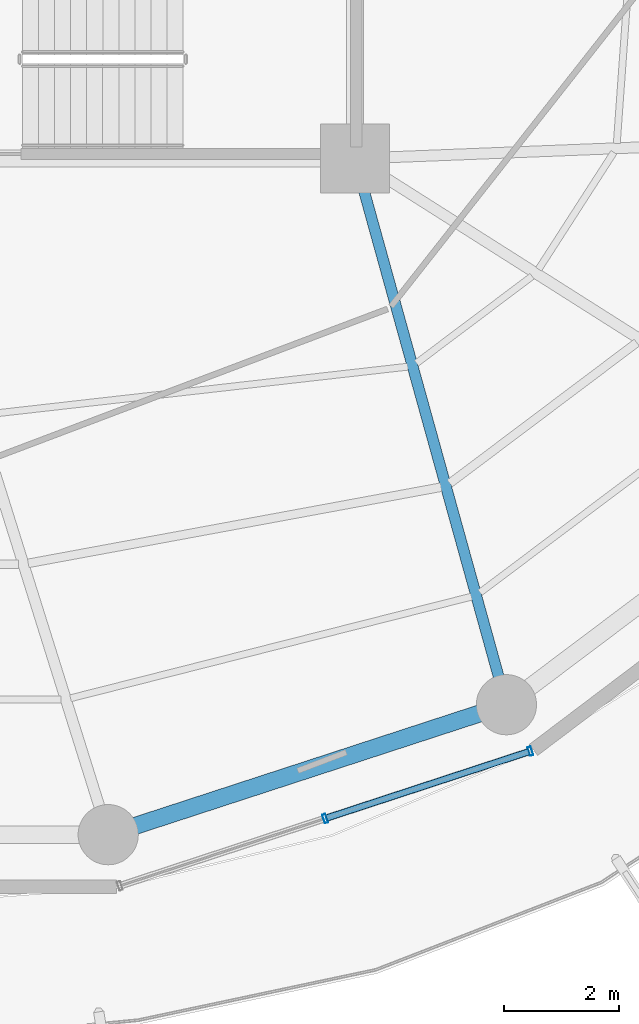
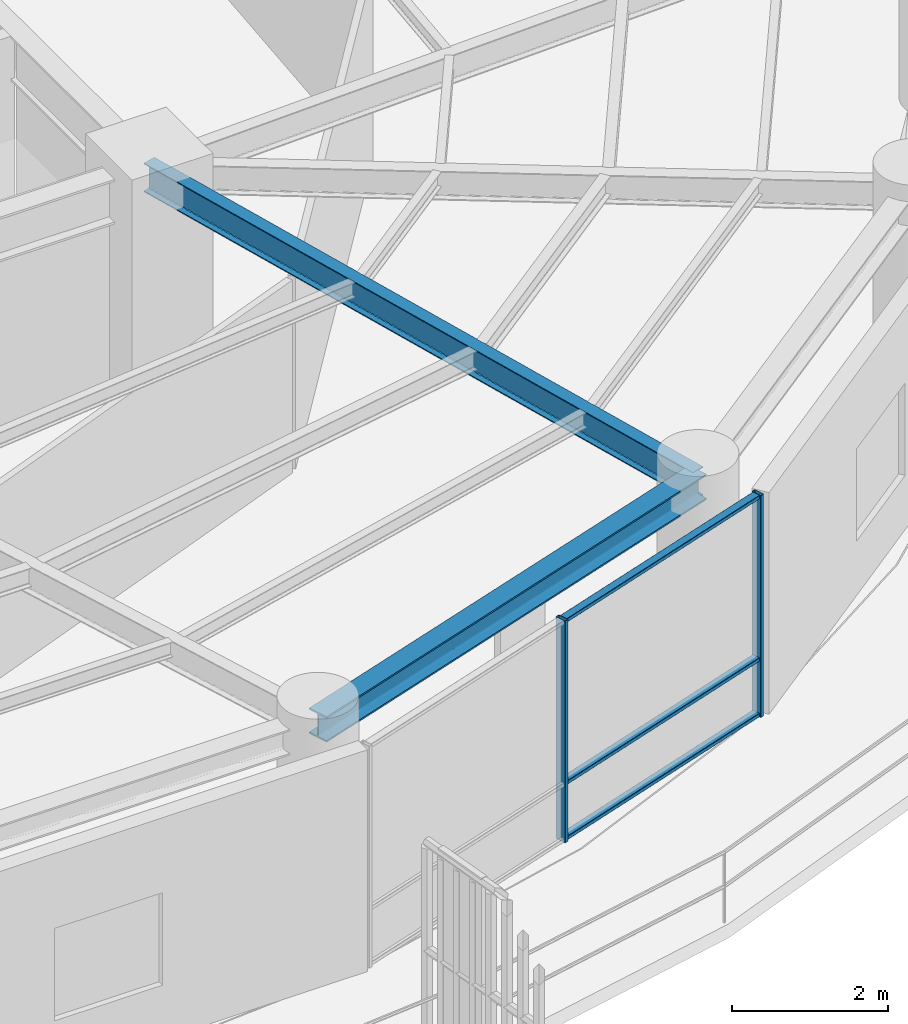
# One storey, part 10 of 31: 5 members, 2 beams, 1 element without a shape of its own.
"""IFC4 building model written with IfcOpenShell, lengths in metres."""

from ifc_helpers import new_model, si_unit, direction, frame, origin, origin_2d, place, context, subcontext, project, spatial, hollow_rectangle, i_section, extrude, material, layer, layer_set, material_profile, profile_set, type_object, element, aggregate, save


model = new_model("IFC4")

# Units and contexts
model_context = context("Model", 3, precision=1e-05, world=origin(), true_north=direction((0.0, 1.0)))
body_context = subcontext(model_context, "Body", "Model", "MODEL_VIEW")
ifc_project = project(units=[si_unit("LENGTHUNIT", "METRE"), si_unit("AREAUNIT", "SQUARE_METRE"), si_unit("VOLUMEUNIT", "CUBIC_METRE"), si_unit("PLANEANGLEUNIT", "RADIAN"), si_unit("MASSUNIT", "GRAM", prefix="KILO")], contexts=[model_context])

# Site, building, storey
site_placement = place(None, origin())
site = spatial("IfcSite", under=ifc_project, at=site_placement, CompositionType="ELEMENT")
building_placement = place(site_placement, origin())
building = spatial("IfcBuilding", under=site, at=building_placement, Name="Kelanora Arch Commons", CompositionType="ELEMENT")
storey_placement = place(building_placement, frame((0.0, 0.0, 196.949951171875)))
storey = spatial("IfcBuildingStorey", under=building, at=storey_placement, Name="L50", CompositionType="ELEMENT", Elevation=196.949951171875)

# Beams
ifc_material_1 = material(Name="Steel S355", Category="steel")
ifc_material_profile_1 = material_profile(ifc_material_1, i_section(OverallWidth=0.18994140625, OverallDepth=0.449951171875, WebThickness=0.009521484375, FlangeThickness=0.0146484375, FilletRadius=0.02099609375, at=origin_2d()), Name="IPE450")
ifc_profile_set_1 = profile_set([ifc_material_profile_1], Name="Steel S355")
beam_type_1 = type_object("IfcBeamType", Name="BM-RAD-Z4", PredefinedType="BEAM", material=ifc_profile_set_1)
beam_1_placement = place(storey_placement, frame((82.0, 51.0, 3.26513671875), z_axis=(0.267120164296, -0.963663228429, 0.0), x_axis=(0.963663228429, 0.267120164296, 0.0)))
element("IfcBeam", 1, at=beam_1_placement, inside=storey, type_object=beam_type_1, Name="Radial Floor Girder BR-30 L50", PredefinedType="BEAM", context=body_context, shape_type="SweptSolid", body=[
    extrude(i_section(OverallWidth=0.18994140625, OverallDepth=0.449951171875, WebThickness=0.009521484375, FlangeThickness=0.0146484375, FilletRadius=0.02099609375, at=origin_2d()), origin(), (0.0, 0.0, 1.0), 9.8828125),
])
ifc_material_profile_2 = material_profile(ifc_material_1, i_section(OverallWidth=0.300048828125, OverallDepth=0.39990234375, WebThickness=0.013427734375, FlangeThickness=0.02392578125, FilletRadius=0.027099609375, at=origin_2d()), Name="HEB400")
ifc_profile_set_2 = profile_set([ifc_material_profile_2], Name="Steel S355")
beam_type_2 = type_object("IfcBeamType", Name="BM-SPN-Z4", PredefinedType="SPANDREL", material=ifc_profile_set_2)
beam_2_placement = place(storey_placement, frame((77.6953125, 39.2099609375, 3.2900390625), z_axis=(0.950656361143, 0.310245842872, 0.0), x_axis=(-0.310245842872, 0.950656361143, 0.0)))
element("IfcBeam", 2, at=beam_2_placement, inside=storey, type_object=beam_type_2, Name="Perimeter Spandrel Beam BS-28 L50", PredefinedType="SPANDREL", context=body_context, shape_type="SweptSolid", body=[
    extrude(i_section(OverallWidth=0.300048828125, OverallDepth=0.39990234375, WebThickness=0.013427734375, FlangeThickness=0.02392578125, FilletRadius=0.027099609375, at=origin_2d()), origin(), (0.0, 0.0, 1.0), 7.304931640625),
])

# Curtain wall, members
ifc_material_2 = material(Name="Terracotta ceramic-fritted low-E glass and aluminium", Category="masonry")
ifc_layer = layer(ifc_material_2, 0.175048828125)
ifc_layer_set = layer_set([ifc_layer], Name="Terracotta ceramic-fritted low-E glass and aluminium")
curtain_wall_type = type_object("IfcCurtainWallType", Name="CW-SYS-02", PredefinedType="NOTDEFINED", material=ifc_layer_set)
curtain_wall_placement = place(storey_placement, origin())
curtain_wall = element("IfcCurtainWall", 3, at=curtain_wall_placement, inside=storey, type_object=curtain_wall_type, Name="Unitised Curtain Wall L50-B14", PredefinedType="NOTDEFINED")
ifc_material_3 = material(Name="Powder-coated aluminium terracotta", Category="masonry")
ifc_material_profile_3 = material_profile(ifc_material_3, hollow_rectangle(XDim=0.159912109375, YDim=0.06005859375, WallThickness=0.0048828125, InnerFilletRadius=0.0048828125, OuterFilletRadius=0.010009765625, at=origin_2d()), Name="CWM160x60")
ifc_profile_set_3 = profile_set([ifc_material_profile_3], Name="Powder-coated aluminium terracotta")
member_type_1 = type_object("IfcMemberType", Name="CWM-STD", PredefinedType="MULLION", material=ifc_profile_set_3)
member_1_placement = place(storey_placement, frame((81.4775390625, 39.49169921875, 0.0), z_axis=(0.0, 0.0, 1.0), x_axis=(-0.311582439059, 0.950219124029, 0.0)))
member_1 = element("IfcMember", 4, at=member_1_placement, type_object=member_type_1, Name="CW-02 mullion 2", PredefinedType="MULLION", context=body_context, shape_type="SweptSolid", body=[
    extrude(hollow_rectangle(XDim=0.159912109375, YDim=0.06005859375, WallThickness=0.0048828125, InnerFilletRadius=0.0048828125, OuterFilletRadius=0.010009765625, at=origin_2d()), origin(), (0.0, 0.0, 1.0), 3.47509765625),
])
member_2_placement = place(storey_placement, frame((85.05712890625, 40.66552734375, 0.0), z_axis=(0.0, 0.0, 1.0), x_axis=(-0.311582439059, 0.950219124029, 0.0)))
member_2 = element("IfcMember", 5, at=member_2_placement, type_object=member_type_1, Name="CW-02 mullion 3", PredefinedType="MULLION", context=body_context, shape_type="SweptSolid", body=[
    extrude(hollow_rectangle(XDim=0.159912109375, YDim=0.06005859375, WallThickness=0.0048828125, InnerFilletRadius=0.0048828125, OuterFilletRadius=0.010009765625, at=origin_2d()), origin(), (0.0, 0.0, 1.0), 3.47509765625),
])
ifc_material_profile_4 = material_profile(ifc_material_3, hollow_rectangle(XDim=0.1201171875, YDim=0.06005859375, WallThickness=0.0048828125, InnerFilletRadius=0.0048828125, OuterFilletRadius=0.010009765625, at=origin_2d()), Name="CWT120x60")
ifc_profile_set_4 = profile_set([ifc_material_profile_4], Name="Powder-coated aluminium terracotta")
member_type_2 = type_object("IfcMemberType", Name="CWT-STD", PredefinedType="USERDEFINED", material=ifc_profile_set_4)
member_3_placement = place(storey_placement, frame((81.506103515625, 39.5009765625, 0.030029296875), z_axis=(0.950226025222, 0.311561392011, 0.0), x_axis=(-0.311561392011, 0.950226025222, 0.0)))
member_3 = element("IfcMember", 6, at=member_3_placement, type_object=member_type_2, Name="CW-02 transom 2.1", ObjectType="TRANSOM", PredefinedType="USERDEFINED", context=body_context, shape_type="SweptSolid", body=[
    extrude(hollow_rectangle(XDim=0.1201171875, YDim=0.06005859375, WallThickness=0.0048828125, InnerFilletRadius=0.0048828125, OuterFilletRadius=0.010009765625, at=origin_2d()), origin(), (0.0, 0.0, 1.0), 3.707275390625),
])
member_4_placement = place(storey_placement, frame((81.506103515625, 39.5009765625, 0.900146484375), z_axis=(0.950226025222, 0.311561392011, 0.0), x_axis=(-0.311561392011, 0.950226025222, 0.0)))
member_4 = element("IfcMember", 7, at=member_4_placement, type_object=member_type_2, Name="CW-02 transom 2.2", ObjectType="TRANSOM", PredefinedType="USERDEFINED", context=body_context, shape_type="SweptSolid", body=[
    extrude(hollow_rectangle(XDim=0.1201171875, YDim=0.06005859375, WallThickness=0.0048828125, InnerFilletRadius=0.0048828125, OuterFilletRadius=0.010009765625, at=origin_2d()), origin(), (0.0, 0.0, 1.0), 3.707275390625),
])
member_5_placement = place(storey_placement, frame((81.506103515625, 39.5009765625, 3.445068359375), z_axis=(0.950226025222, 0.311561392011, 0.0), x_axis=(-0.311561392011, 0.950226025222, 0.0)))
member_5 = element("IfcMember", 8, at=member_5_placement, type_object=member_type_2, Name="CW-02 transom 2.3", ObjectType="TRANSOM", PredefinedType="USERDEFINED", context=body_context, shape_type="SweptSolid", body=[
    extrude(hollow_rectangle(XDim=0.1201171875, YDim=0.06005859375, WallThickness=0.0048828125, InnerFilletRadius=0.0048828125, OuterFilletRadius=0.010009765625, at=origin_2d()), origin(), (0.0, 0.0, 1.0), 3.707275390625),
])
aggregate(curtain_wall, [member_1, member_2, member_3, member_4, member_5])

save(model, "model.ifc")
